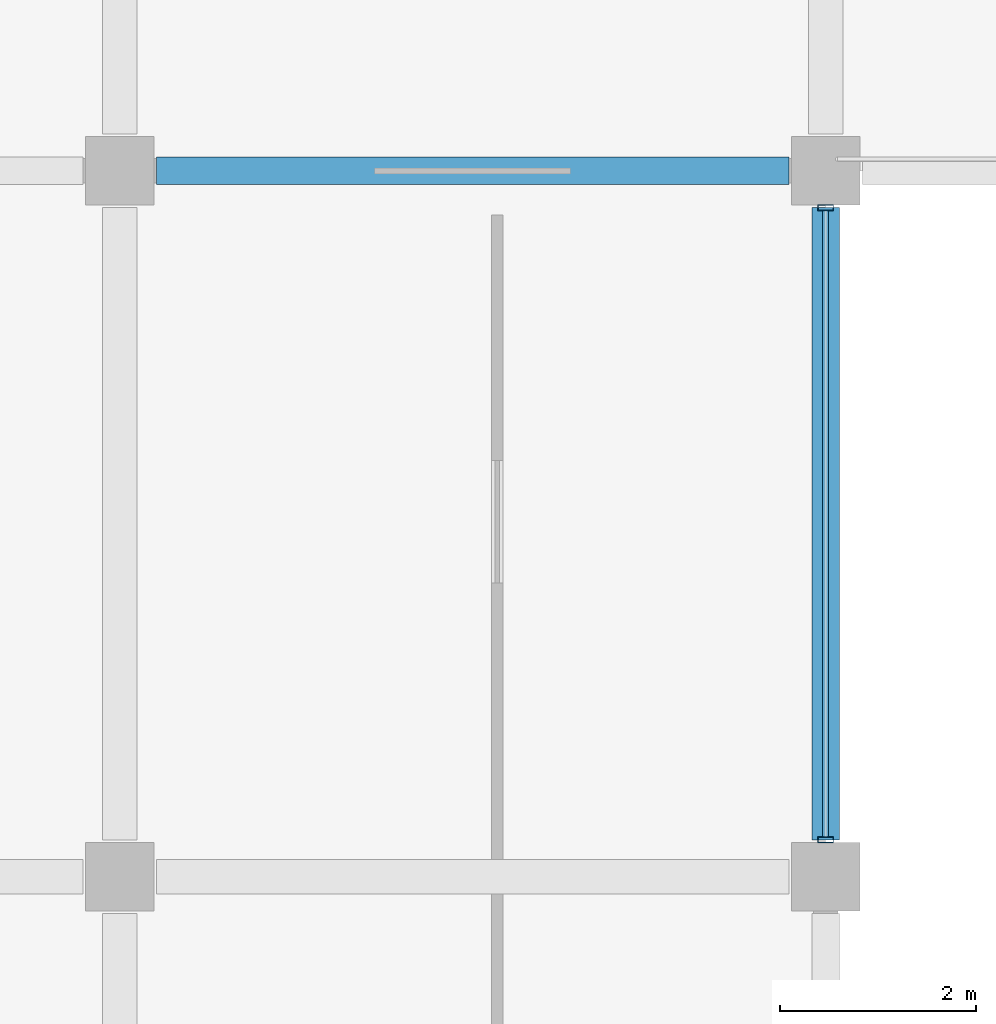
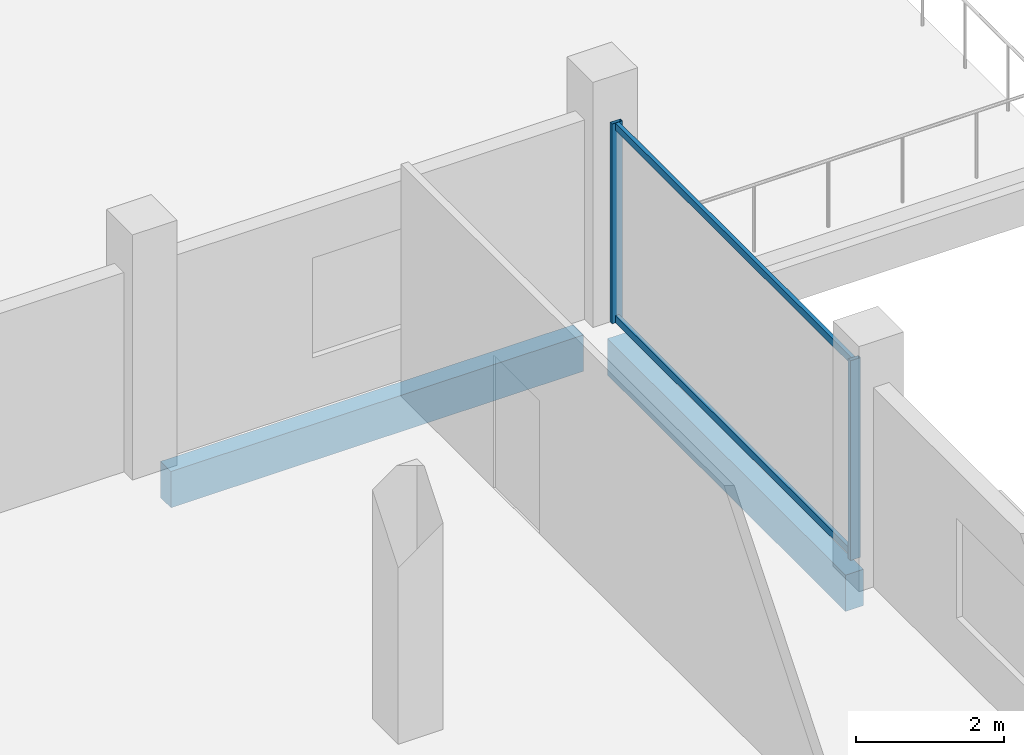
# One storey, part 19 of 77: 4 members, 2 beams, 1 element without a shape of its own.
"""IFC4 building model written with IfcOpenShell, lengths in metres."""

from ifc_helpers import new_model, si_unit, direction, frame, origin, origin_2d, place, context, subcontext, project, spatial, rectangle, hollow_rectangle, extrude, material, layer, layer_set, material_profile, profile_set, type_object, element, aggregate, save


model = new_model("IFC4")

# Units and contexts
model_context = context("Model", 3, precision=1e-05, world=origin(), true_north=direction((0.0, 1.0)))
body_context = subcontext(model_context, "Body", "Model", "MODEL_VIEW")
ifc_project = project(units=[si_unit("LENGTHUNIT", "METRE"), si_unit("AREAUNIT", "SQUARE_METRE"), si_unit("VOLUMEUNIT", "CUBIC_METRE"), si_unit("PLANEANGLEUNIT", "RADIAN"), si_unit("MASSUNIT", "GRAM", prefix="KILO")], contexts=[model_context])

# Site, building, storey
site_placement = place(None, origin())
site = spatial("IfcSite", under=ifc_project, at=site_placement, CompositionType="ELEMENT")
building_placement = place(site_placement, origin())
building = spatial("IfcBuilding", under=site, at=building_placement, Name="Kangsadwip Square Police Headquarters", CompositionType="ELEMENT")
storey_placement = place(building_placement, frame((0.0, 0.0, 17.550048828125)))
storey = spatial("IfcBuildingStorey", under=building, at=storey_placement, Name="L04", CompositionType="ELEMENT", Elevation=17.550048828125)

# Curtain wall, members
ifc_material_1 = material(Name="Thermally broken anodised aluminium AW-6063-T6", Category="aluminium")
ifc_layer = layer(ifc_material_1, 0.159912109375)
ifc_layer_set = layer_set([ifc_layer], Name="Thermally broken anodised aluminium AW-6063-T6")
curtain_wall_type = type_object("IfcCurtainWallType", Name="CourtScreen6510x3300", PredefinedType="USERDEFINED", material=ifc_layer_set)
curtain_wall_placement = place(storey_placement, origin())
curtain_wall = element("IfcCurtainWall", 1, at=curtain_wall_placement, inside=storey, type_object=curtain_wall_type, Name="Curtain Wall CW-L04-0216-0867", ObjectType="GLAZED_SCREEN", PredefinedType="USERDEFINED")
ifc_material_2 = material(Name="Thermally broken anodised aluminium AW-6063-T6", Category="aluminium")
ifc_material_profile_1 = material_profile(ifc_material_2, hollow_rectangle(XDim=0.06005859375, YDim=0.159912109375, WallThickness=0.00390625, at=origin_2d()), Name="CWM 160X60X4")
ifc_profile_set_1 = profile_set([ifc_material_profile_1], Name="Thermally broken anodised aluminium AW-6063-T6")
member_type_1 = type_object("IfcMemberType", Name="CwMullion135x60", PredefinedType="MULLION", material=ifc_profile_set_1)
member_1_placement = place(storey_placement, frame((21.60009765625, 86.77490234375, 0.0), z_axis=(0.0, 0.0, 1.0), x_axis=(0.0, 1.0, 0.0)))
member_1 = element("IfcMember", 2, at=member_1_placement, type_object=member_type_1, Name="CW-46 mullion 1", PredefinedType="MULLION", context=body_context, shape_type="SweptSolid", body=[
    extrude(hollow_rectangle(XDim=0.06005859375, YDim=0.159912109375, WallThickness=0.00390625, at=origin_2d()), origin(), (0.0, 0.0, 1.0), 3.300048828125),
])
member_2_placement = place(storey_placement, frame((21.60009765625, 93.22509765625, 0.0), z_axis=(0.0, 0.0, 1.0), x_axis=(0.0, 1.0, 0.0)))
member_2 = element("IfcMember", 3, at=member_2_placement, type_object=member_type_1, Name="CW-46 mullion 2", PredefinedType="MULLION", context=body_context, shape_type="SweptSolid", body=[
    extrude(hollow_rectangle(XDim=0.06005859375, YDim=0.159912109375, WallThickness=0.00390625, at=origin_2d()), origin(), (0.0, 0.0, 1.0), 3.300048828125),
])
ifc_material_3 = material(Name="Thermally broken anodised aluminium AW-6063-T6", Category="aluminium")
ifc_material_profile_2 = material_profile(ifc_material_3, hollow_rectangle(XDim=0.06005859375, YDim=0.1201171875, WallThickness=0.00390625, at=origin_2d()), Name="CWT 120X60X4")
ifc_profile_set_2 = profile_set([ifc_material_profile_2], Name="Thermally broken anodised aluminium AW-6063-T6")
member_type_2 = type_object("IfcMemberType", Name="CwTransom120x55", PredefinedType="USERDEFINED", material=ifc_profile_set_2)
member_3_placement = place(storey_placement, frame((21.60009765625, 86.804931640625, 0.06005859375), z_axis=(0.0, 1.0, 0.0), x_axis=(-1.0, 0.0, 0.0)))
member_3 = element("IfcMember", 4, at=member_3_placement, type_object=member_type_2, Name="CW-46 transom 1.1", ObjectType="TRANSOM", PredefinedType="USERDEFINED", context=body_context, shape_type="SweptSolid", body=[
    extrude(hollow_rectangle(XDim=0.06005859375, YDim=0.1201171875, WallThickness=0.00390625, at=origin_2d()), origin(), (0.0, 0.0, 1.0), 6.39013671875),
])
member_4_placement = place(storey_placement, frame((21.60009765625, 86.804931640625, 3.239990234375), z_axis=(0.0, 1.0, 0.0), x_axis=(-1.0, 0.0, 0.0)))
member_4 = element("IfcMember", 5, at=member_4_placement, type_object=member_type_2, Name="CW-46 transom 1.2", ObjectType="TRANSOM", PredefinedType="USERDEFINED", context=body_context, shape_type="SweptSolid", body=[
    extrude(hollow_rectangle(XDim=0.06005859375, YDim=0.1201171875, WallThickness=0.00390625, at=origin_2d()), origin(), (0.0, 0.0, 1.0), 6.39013671875),
])
aggregate(curtain_wall, [member_1, member_2, member_3, member_4])

# Beams
ifc_material_4 = material(Name="Concrete M40 (40 MPa)", Category="concrete")
ifc_material_profile_3 = material_profile(ifc_material_4, rectangle(XDim=0.280029296875, YDim=0.60009765625, at=origin_2d()), Name="RC SPN 600X280")
ifc_profile_set_3 = profile_set([ifc_material_profile_3], Name="Concrete M40 (40 MPa)")
beam_type = type_object("IfcBeamType", Name="RcSpandrel600x280", PredefinedType="SPANDREL", material=ifc_profile_set_3)
for number, where, z_axis, x_axis, name in (
    (6, (14.77490234375, 93.60009765625, -0.5400390625), (1.0, 0.0, 0.0), (0.0, 1.0, 0.0), "Beam BM-L04-X-02-13"),
    (7, (21.60009765625, 86.77490234375, -0.5400390625), (0.0, 1.0, 0.0), (-1.0, 0.0, 0.0), "Beam BM-L04-Y-03-12"),
):
    element("IfcBeam", number, at=place(storey_placement, frame(where, z_axis=z_axis, x_axis=x_axis)), inside=storey, type_object=beam_type, Name=name, PredefinedType="SPANDREL", context=body_context, shape_type="SweptSolid", body=[
        extrude(rectangle(XDim=0.280029296875, YDim=0.60009765625, at=origin_2d()), origin(), (0.0, 0.0, 1.0), 6.4501953125),
    ])

save(model, "model.ifc")
